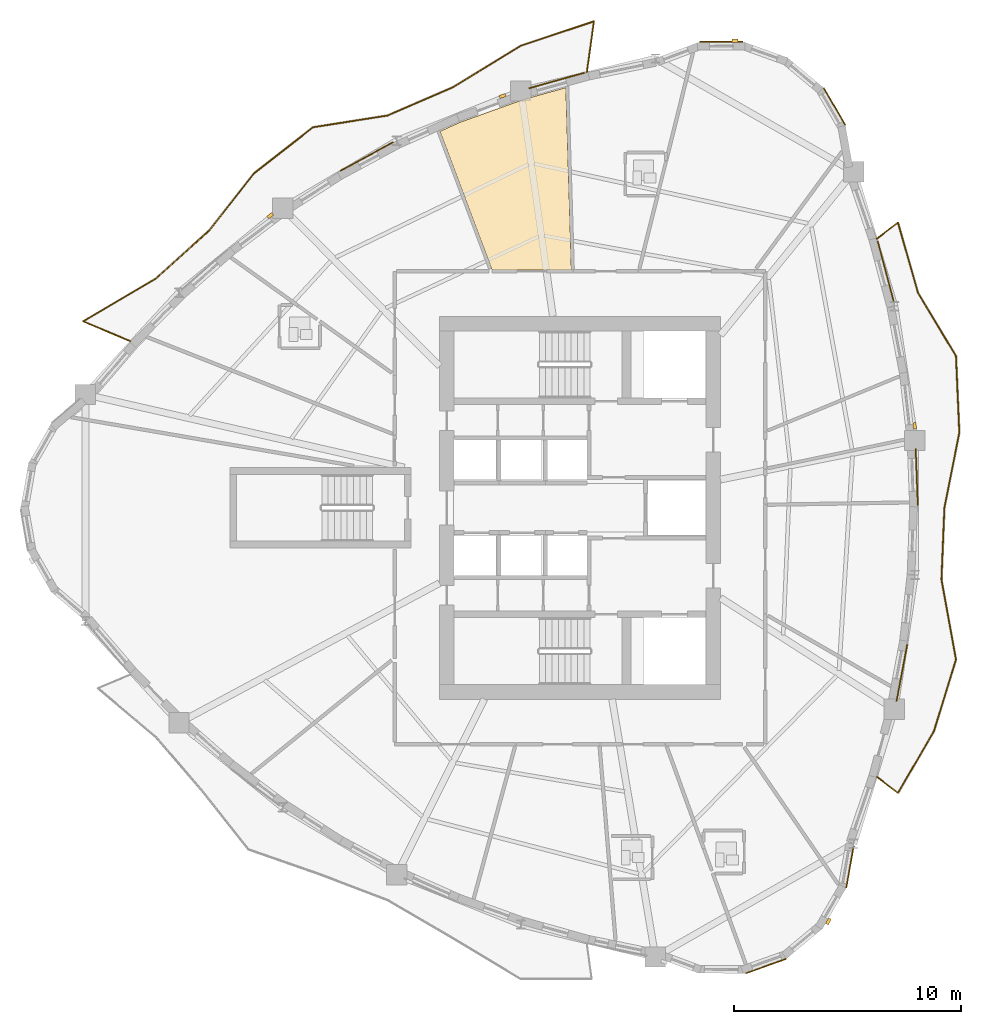
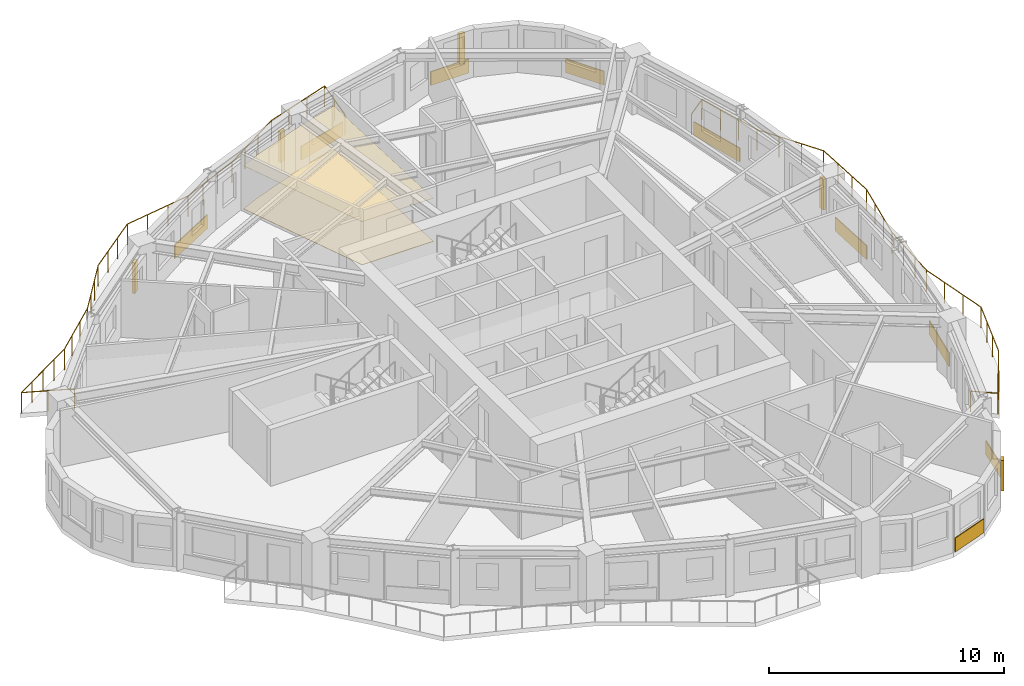
# One storey, part 11 of 12: 11 coverings, 5 shading devices, 2 railings.
"""IFC4 building model written with IfcOpenShell, lengths in metres."""

from ifc_helpers import new_model, si_unit, direction, frame, origin, origin_2d, place, context, subcontext, project, spatial, polyline, rectangle, circle, outline, extrude, source, transform, mapped, material, layer, layer_set, type_object, element, save


model = new_model("IFC4")

# Units and contexts
model_context = context("Model", 3, precision=1e-05, world=origin(), true_north=direction((0.0, 1.0)))
body_context = subcontext(model_context, "Body", "Model", "MODEL_VIEW")
ifc_project = project(units=[si_unit("LENGTHUNIT", "METRE"), si_unit("AREAUNIT", "SQUARE_METRE"), si_unit("VOLUMEUNIT", "CUBIC_METRE"), si_unit("PLANEANGLEUNIT", "RADIAN"), si_unit("MASSUNIT", "GRAM", prefix="KILO")], contexts=[model_context])

# Site, building, storey
site_placement = place(None, origin())
site = spatial("IfcSite", under=ifc_project, at=site_placement, CompositionType="ELEMENT")
building_placement = place(site_placement, origin())
building = spatial("IfcBuilding", under=site, at=building_placement, Name="Qafzar Sky-Pleat Residences", CompositionType="ELEMENT")
storey_placement = place(building_placement, frame((0.0, 0.0, 121.60009765625)))
storey = spatial("IfcBuildingStorey", under=building, at=storey_placement, Name="L36", CompositionType="ELEMENT", Elevation=121.60009765625)

# Coverings
ifc_material_1 = material(Name="Perforated acoustic gypsum board ceiling")
ifc_layer_1 = layer(ifc_material_1, 0.02001953125)
ifc_layer_set_1 = layer_set([ifc_layer_1], Name="Perforated acoustic gypsum board ceiling")
covering_type_1 = type_object("IfcCoveringType", Name="COV-CEIL-ACOUSTIC", PredefinedType="CEILING", material=ifc_layer_set_1)
covering_1_placement = place(storey_placement, frame((0.0, 0.0, 2.239990234375)))
element("IfcCovering", 1, at=covering_1_placement, inside=storey, type_object=covering_type_1, Name="L36 Communal Kitchen Acoustic Ceiling", PredefinedType="CEILING", context=body_context, shape_type="SweptSolid", body=[
    extrude(outline(polyline([(27.864013671875, 44.015380859375), (29.726806640625, 44.53662109375), (29.97119140625, 36.489990234375), (26.4736328125, 36.489990234375), (24.174560546875, 42.6103515625), (25.094482421875, 43.020263671875), (27.864013671875, 44.015380859375)])), origin(), (0.0, 0.0, 1.0), 0.02001953125),
])
ifc_material_2 = material(Name="Honed porcelain and Riyadh stone tile flooring", Category="masonry")
ifc_layer_2 = layer(ifc_material_2, 0.02001953125)
ifc_layer_set_2 = layer_set([ifc_layer_2], Name="Honed porcelain and Riyadh stone tile flooring")
covering_type_2 = type_object("IfcCoveringType", Name="COV-FLR-PORCELAIN", PredefinedType="FLOORING", material=ifc_layer_set_2)
covering_2_placement = place(storey_placement, origin())
element("IfcCovering", 2, at=covering_2_placement, inside=storey, type_object=covering_type_2, Name="L36 Communal Kitchen Honed Stone Flooring", PredefinedType="FLOORING", context=body_context, shape_type="SweptSolid", body=[
    extrude(outline(polyline([(27.864013671875, 44.015380859375), (29.726806640625, 44.53662109375), (29.97119140625, 36.489990234375), (26.4736328125, 36.489990234375), (24.174560546875, 42.6103515625), (25.094482421875, 43.020263671875), (27.864013671875, 44.015380859375)])), origin(), (0.0, 0.0, 1.0), 0.02001953125),
])

# Shading devices
ifc_material_3 = material(Name="Honed Riyadh limestone solar fin", Category="masonry")
ifc_layer_3 = layer(ifc_material_3, 0.139892578125)
ifc_layer_set_3 = layer_set([ifc_layer_3], Name="Honed Riyadh limestone solar fin")
shading_device_type = type_object("IfcShadingDeviceType", Name="SHD-FIN-STONE", PredefinedType="SHUTTER", material=ifc_layer_set_3)
shared_shape_1 = source(origin(), body_context, "Body", "SweptSolid", [
    extrude(rectangle(XDim=0.139892578125, YDim=0.280029296875, at=origin_2d()), origin(), (0.0, 0.0, 1.0), 1.60009765625),
])
for number, where, z_axis, x_axis, name in (
    (3, (41.314453125, 7.749755859375, 0.599853515625), (0.0, 0.0, 1.0), (0.864874104555, -0.501988827833, 0.0), "L36 Limestone Solar Fin 21"),
    (4, (45.11865234375, 29.6123046875, 0.599853515625), (0.0, 0.0, 1.0), (0.993563843367, 0.11327351479, 0.0), "L36 Limestone Solar Fin 29"),
    (5, (37.18798828125, 46.60791015625, 0.599853515625), (0.0, 0.0, 1.0), (-0.006821393447, 0.999976734025, 0.0), "L36 Limestone Solar Fin 37"),
    (6, (26.93798828125, 44.166015625, 0.599853515625), (0.0, 0.0, 1.0), (-0.338171251252, 0.941084589623, 0.0), "L36 Limestone Solar Fin 41"),
    (7, (16.68310546875, 38.885498046875, 0.599853515625), (0.0, 0.0, 1.0), (-0.602208472618, 0.798338872602, 0.0), "L36 Limestone Solar Fin 45"),
):
    element("IfcShadingDevice", number, at=place(storey_placement, frame(where, z_axis=z_axis, x_axis=x_axis)), inside=storey, type_object=shading_device_type, Name=name, PredefinedType="SHUTTER", context=body_context, shape_type="MappedRepresentation", body=[
        mapped(shared_shape_1, transform((0.0, 0.0, 0.0), x_axis=(1.0, 0.0, 0.0), y_axis=(0.0, 1.0, 0.0), z_axis=(0.0, 0.0, 1.0), scale=1.0)),
    ])

# Coverings
ifc_material_4 = material(Name="Honed Riyadh Tuwaiq limestone cladding", Category="masonry")
ifc_layer_4 = layer(ifc_material_4, 0.044921875)
ifc_layer_set_4 = layer_set([ifc_layer_4], Name="Honed Riyadh Tuwaiq limestone cladding")
covering_type_3 = type_object("IfcCoveringType", Name="COV-CLAD-STONE", PredefinedType="CLADDING", material=ifc_layer_set_4)
shared_shape_2 = source(origin(), body_context, "Body", "SweptSolid", [
    extrude(rectangle(XDim=1.88916015625, YDim=0.044921875, at=origin_2d()), origin(), (0.0, 0.0, 1.0), 0.719970703125),
])
for number, where, z_axis, x_axis, name in (
    (8, (38.554443359375, 5.774658203125, 0.02001953125), (0.0, 0.0, 1.0), (0.941518591784, 0.336961038289, 0.0), "L36 Riyadh Limestone Spandrel Cladding 19"),
    (9, (41.5810546875, 43.70556640625, 0.02001953125), (0.0, 0.0, 1.0), (-0.50197689344, 0.864881031387, 0.0), "L36 Riyadh Limestone Spandrel Cladding 34"),
    (10, (36.583251953125, 46.560546875, 0.02001953125), (0.0, 0.0, 1.0), (-0.99997646822, -0.006860248279, 0.0), "L36 Riyadh Limestone Spandrel Cladding 37"),
):
    element("IfcCovering", number, at=place(storey_placement, frame(where, z_axis=z_axis, x_axis=x_axis)), inside=storey, type_object=covering_type_3, Name=name, PredefinedType="CLADDING", context=body_context, shape_type="MappedRepresentation", body=[
        mapped(shared_shape_2, transform((0.0, 0.0, 0.0), x_axis=(1.0, 0.0, 0.0), y_axis=(0.0, 1.0, 0.0), z_axis=(0.0, 0.0, 1.0), scale=1.0)),
    ])
shared_shape_3 = source(origin(), body_context, "Body", "SweptSolid", [
    extrude(rectangle(XDim=1.8369140625, YDim=0.044921875, at=origin_2d()), origin(), (0.0, 0.0, 1.0), 0.719970703125),
])
covering_3_placement = place(storey_placement, frame((42.2626953125, 10.14404296875, 0.02001953125), z_axis=(0.0, 0.0, 1.0), x_axis=(0.174361037484, 0.984681790533, 0.0)))
element("IfcCovering", 11, at=covering_3_placement, inside=storey, type_object=covering_type_3, Name="L36 Riyadh Limestone Spandrel Cladding 22", PredefinedType="CLADDING", context=body_context, shape_type="MappedRepresentation", body=[
    mapped(shared_shape_3, transform((0.0, 0.0, 0.0), x_axis=(1.0, 0.0, 0.0), y_axis=(0.0, 1.0, 0.0), z_axis=(0.0, 0.0, 1.0), scale=1.0)),
])

# Railings
ifc_material_5 = material(Name="Laminated glass and bronze steel balustrade", Category="steel")
railing_type = type_object("IfcRailingType", Name="RAIL-BAL-1100", PredefinedType="BALUSTRADE", material=ifc_material_5)
shared_shape_4 = source(origin(), body_context, "Body", "SweptSolid", [
    extrude(circle(Radius=0.02392578125, at=origin_2d()), frame((0.0, 0.0, 1.076171875), z_axis=(0.792932063794, -0.609310054248, 0.0), x_axis=(0.609310054248, 0.792932063794, 0.0)), (0.0, 0.0, 1.0), 1.177978515625),
    extrude(circle(Radius=0.02392578125, at=origin_2d()), frame((0.93408203125, -0.7177734375, 1.076171875), z_axis=(0.50280024579, 0.864402633519, 0.0), x_axis=(-0.864402633519, 0.50280024579, 0.0)), (0.0, 0.0, 1.0), 3.162353515625),
    extrude(circle(Radius=0.02392578125, at=origin_2d()), frame((2.524169921875, 2.015869140625, 1.076171875), z_axis=(0.293530849641, 0.955949601344, 0.0), x_axis=(-0.955949601344, 0.293530849641, 0.0)), (0.0, 0.0, 1.0), 3.307861328125),
    extrude(circle(Radius=0.02392578125, at=origin_2d()), frame((3.4951171875, 5.177978515625, 1.076171875), z_axis=(-0.179185435941, 0.983815317804, 0.0), x_axis=(-0.983815317804, -0.179185435941, 0.0)), (0.0, 0.0, 1.0), 3.58056640625),
    extrude(circle(Radius=0.02392578125, at=origin_2d()), frame((2.853515625, 8.70068359375, 1.076171875), z_axis=(0.040954900218, 0.99916099611, 0.0), x_axis=(-0.99916099611, 0.040954900218, 0.0)), (0.0, 0.0, 1.0), 3.17138671875),
    extrude(circle(Radius=0.02392578125, at=origin_2d()), frame((2.9833984375, 11.869384765625, 1.076171875), z_axis=(0.195321920693, 0.980739184134, 0.0), x_axis=(-0.980739184134, 0.195321920693, 0.0)), (0.0, 0.0, 1.0), 3.369873046875),
    extrude(circle(Radius=0.02392578125, at=origin_2d()), frame((3.6416015625, 15.17431640625, 1.076171875), z_axis=(-0.04321530311, 0.999065782407, 0.0), x_axis=(-0.999065782407, -0.04321530311, 0.0)), (0.0, 0.0, 1.0), 3.3896484375),
    extrude(circle(Radius=0.02392578125, at=origin_2d()), frame((3.4951171875, 18.560791015625, 1.076171875), z_axis=(-0.515846195278, 0.856681214231, 0.0), x_axis=(-0.856681214231, -0.515846195278, 0.0)), (0.0, 0.0, 1.0), 3.241943359375),
    extrude(circle(Radius=0.02392578125, at=origin_2d()), frame((1.82275390625, 21.338134765625, 1.076171875), z_axis=(-0.274064740499, 0.961711244613, 0.0), x_axis=(-0.961711244613, -0.274064740499, 0.0)), (0.0, 0.0, 1.0), 3.24267578125),
    extrude(circle(Radius=0.02392578125, at=origin_2d()), frame((0.93408203125, 24.45654296875, 1.076171875), z_axis=(-0.792932063794, -0.609310054248, 0.0), x_axis=(0.609310054248, -0.792932063794, 0.0)), (0.0, 0.0, 1.0), 1.177978515625),
    extrude(circle(Radius=0.02099609375, at=origin_2d()), origin(), (0.0, 0.0, 1.0), 1.052001953125),
    extrude(circle(Radius=0.02099609375, at=origin_2d()), frame((0.93408203125, -0.7177734375, 0.0)), (0.0, 0.0, 1.0), 1.052001953125),
    extrude(circle(Radius=0.02099609375, at=origin_2d()), frame((1.464111328125, 0.193359375, 0.0)), (0.0, 0.0, 1.0), 1.052001953125),
    extrude(circle(Radius=0.02099609375, at=origin_2d()), frame((1.994140625, 1.104736328125, 0.0)), (0.0, 0.0, 1.0), 1.052001953125),
    extrude(circle(Radius=0.02099609375, at=origin_2d()), frame((2.524169921875, 2.015869140625, 0.0)), (0.0, 0.0, 1.0), 1.052001953125),
    extrude(circle(Radius=0.02099609375, at=origin_2d()), frame((2.847900390625, 3.06982421875, 0.0)), (0.0, 0.0, 1.0), 1.052001953125),
    extrude(circle(Radius=0.02099609375, at=origin_2d()), frame((3.17138671875, 4.1240234375, 0.0)), (0.0, 0.0, 1.0), 1.052001953125),
    extrude(circle(Radius=0.02099609375, at=origin_2d()), frame((3.4951171875, 5.177978515625, 0.0)), (0.0, 0.0, 1.0), 1.052001953125),
    extrude(circle(Radius=0.02099609375, at=origin_2d()), frame((3.28125, 6.352294921875, 0.0)), (0.0, 0.0, 1.0), 1.052001953125),
    extrude(circle(Radius=0.02099609375, at=origin_2d()), frame((3.0673828125, 7.5263671875, 0.0)), (0.0, 0.0, 1.0), 1.052001953125),
    extrude(circle(Radius=0.02099609375, at=origin_2d()), frame((2.853515625, 8.70068359375, 0.0)), (0.0, 0.0, 1.0), 1.052001953125),
    extrude(circle(Radius=0.02099609375, at=origin_2d()), frame((2.896728515625, 9.7568359375, 0.0)), (0.0, 0.0, 1.0), 1.052001953125),
    extrude(circle(Radius=0.02099609375, at=origin_2d()), frame((2.940185546875, 10.813232421875, 0.0)), (0.0, 0.0, 1.0), 1.052001953125),
    extrude(circle(Radius=0.02099609375, at=origin_2d()), frame((2.9833984375, 11.869384765625, 0.0)), (0.0, 0.0, 1.0), 1.052001953125),
    extrude(circle(Radius=0.02099609375, at=origin_2d()), frame((3.202880859375, 12.970947265625, 0.0)), (0.0, 0.0, 1.0), 1.052001953125),
    extrude(circle(Radius=0.02099609375, at=origin_2d()), frame((3.422119140625, 14.07275390625, 0.0)), (0.0, 0.0, 1.0), 1.052001953125),
    extrude(circle(Radius=0.02099609375, at=origin_2d()), frame((3.6416015625, 15.17431640625, 0.0)), (0.0, 0.0, 1.0), 1.052001953125),
    extrude(circle(Radius=0.02099609375, at=origin_2d()), frame((3.5927734375, 16.30322265625, 0.0)), (0.0, 0.0, 1.0), 1.052001953125),
    extrude(circle(Radius=0.02099609375, at=origin_2d()), frame((3.5439453125, 17.431884765625, 0.0)), (0.0, 0.0, 1.0), 1.052001953125),
    extrude(circle(Radius=0.02099609375, at=origin_2d()), frame((3.4951171875, 18.560791015625, 0.0)), (0.0, 0.0, 1.0), 1.052001953125),
    extrude(circle(Radius=0.02099609375, at=origin_2d()), frame((2.937744140625, 19.486572265625, 0.0)), (0.0, 0.0, 1.0), 1.052001953125),
    extrude(circle(Radius=0.02099609375, at=origin_2d()), frame((2.380126953125, 20.412353515625, 0.0)), (0.0, 0.0, 1.0), 1.052001953125),
    extrude(circle(Radius=0.02099609375, at=origin_2d()), frame((1.82275390625, 21.338134765625, 0.0)), (0.0, 0.0, 1.0), 1.052001953125),
    extrude(circle(Radius=0.02099609375, at=origin_2d()), frame((1.526611328125, 22.377685546875, 0.0)), (0.0, 0.0, 1.0), 1.052001953125),
    extrude(circle(Radius=0.02099609375, at=origin_2d()), frame((1.230224609375, 23.4169921875, 0.0)), (0.0, 0.0, 1.0), 1.052001953125),
    extrude(circle(Radius=0.02099609375, at=origin_2d()), frame((0.93408203125, 24.45654296875, 0.0)), (0.0, 0.0, 1.0), 1.052001953125),
    extrude(circle(Radius=0.02099609375, at=origin_2d()), frame((0.0, 23.73876953125, 0.0)), (0.0, 0.0, 1.0), 1.052001953125),
])
railing_1_placement = place(storey_placement, frame((43.4462890625, 14.130615234375, 0.0)))
element("IfcRailing", 12, at=railing_1_placement, inside=storey, type_object=railing_type, Name="L36 Pleated Balcony 1 Balustrade", PredefinedType="BALUSTRADE", context=body_context, shape_type="MappedRepresentation", body=[
    mapped(shared_shape_4, transform((0.0, 0.0, 0.0), x_axis=(1.0, 0.0, 0.0), y_axis=(0.0, 1.0, 0.0), z_axis=(0.0, 0.0, 1.0), scale=1.0)),
])
shared_shape_5 = source(origin(), body_context, "Body", "SweptSolid", [
    extrude(circle(Radius=0.02392578125, at=origin_2d()), frame((0.0, 0.0, 1.076171875), z_axis=(0.136964805179, 0.990575914376, 0.0), x_axis=(-0.990575914376, 0.136964805179, 0.0)), (0.0, 0.0, 1.0), 2.27099609375),
    extrude(circle(Radius=0.02392578125, at=origin_2d()), frame((0.31103515625, 2.24951171875, 1.076171875), z_axis=(-0.948504991036, -0.316762185211, 0.0), x_axis=(0.316762185211, -0.948504991036, 0.0)), (0.0, 0.0, 1.0), 3.426025390625),
    extrude(circle(Radius=0.02392578125, at=origin_2d()), frame((-2.9384765625, 1.164306640625, 1.076171875), z_axis=(-0.85265153756, -0.522480004877, 0.0), x_axis=(0.522480004877, -0.85265153756, 0.0)), (0.0, 0.0, 1.0), 3.48876953125),
    extrude(circle(Radius=0.02392578125, at=origin_2d()), frame((-5.9130859375, -0.658447265625, 1.076171875), z_axis=(-0.917493090818, -0.397751716906, 0.0), x_axis=(0.397751716906, -0.917493090818, 0.0)), (0.0, 0.0, 1.0), 3.134033203125),
    extrude(circle(Radius=0.02392578125, at=origin_2d()), frame((-8.78857421875, -1.905029296875, 1.076171875), z_axis=(-0.987837119811, -0.155492201486, 0.0), x_axis=(0.155492201486, -0.987837119811, 0.0)), (0.0, 0.0, 1.0), 3.331787109375),
    extrude(circle(Radius=0.02392578125, at=origin_2d()), frame((-12.079833984375, -2.423095703125, 1.076171875), z_axis=(-0.788517401725, -0.615012444733, 0.0), x_axis=(0.615012444733, -0.788517401725, 0.0)), (0.0, 0.0, 1.0), 3.2939453125),
    extrude(circle(Radius=0.02392578125, at=origin_2d()), frame((-14.67724609375, -4.448974609375, 1.076171875), z_axis=(-0.617419143913, -0.786634350083, 0.0), x_axis=(0.786634350083, -0.617419143913, 0.0)), (0.0, 0.0, 1.0), 3.216064453125),
    extrude(circle(Radius=0.02392578125, at=origin_2d()), frame((-16.662841796875, -6.978759765625, 1.076171875), z_axis=(-0.742752641573, -0.669565914184, 0.0), x_axis=(0.669565914184, -0.742752641573, 0.0)), (0.0, 0.0, 1.0), 3.162353515625),
    extrude(circle(Radius=0.02392578125, at=origin_2d()), frame((-19.01171875, -9.09619140625, 1.076171875), z_axis=(-0.861538461538, -0.507692307692, 0.0), x_axis=(0.507692307692, -0.861538461538, 0.0)), (0.0, 0.0, 1.0), 3.729248046875),
    extrude(circle(Radius=0.02392578125, at=origin_2d()), frame((-22.224609375, -10.989501953125, 1.076171875), z_axis=(0.92188612013, -0.387460941918, 0.0), x_axis=(0.387460941918, 0.92188612013, 0.0)), (0.0, 0.0, 1.0), 2.27099609375),
    extrude(circle(Radius=0.02099609375, at=origin_2d()), origin(), (0.0, 0.0, 1.0), 1.052001953125),
    extrude(circle(Radius=0.02099609375, at=origin_2d()), frame((0.155517578125, 1.124755859375, 0.0)), (0.0, 0.0, 1.0), 1.052001953125),
    extrude(circle(Radius=0.02099609375, at=origin_2d()), frame((0.31103515625, 2.24951171875, 0.0)), (0.0, 0.0, 1.0), 1.052001953125),
    extrude(circle(Radius=0.02099609375, at=origin_2d()), frame((-0.772216796875, 1.8876953125, 0.0)), (0.0, 0.0, 1.0), 1.052001953125),
    extrude(circle(Radius=0.02099609375, at=origin_2d()), frame((-1.855224609375, 1.526123046875, 0.0)), (0.0, 0.0, 1.0), 1.052001953125),
    extrude(circle(Radius=0.02099609375, at=origin_2d()), frame((-2.9384765625, 1.164306640625, 0.0)), (0.0, 0.0, 1.0), 1.052001953125),
    extrude(circle(Radius=0.02099609375, at=origin_2d()), frame((-3.929931640625, 0.556640625, 0.0)), (0.0, 0.0, 1.0), 1.052001953125),
    extrude(circle(Radius=0.02099609375, at=origin_2d()), frame((-4.921630859375, -0.05078125, 0.0)), (0.0, 0.0, 1.0), 1.052001953125),
    extrude(circle(Radius=0.02099609375, at=origin_2d()), frame((-5.9130859375, -0.658447265625, 0.0)), (0.0, 0.0, 1.0), 1.052001953125),
    extrude(circle(Radius=0.02099609375, at=origin_2d()), frame((-6.87158203125, -1.073974609375, 0.0)), (0.0, 0.0, 1.0), 1.052001953125),
    extrude(circle(Radius=0.02099609375, at=origin_2d()), frame((-7.830078125, -1.489501953125, 0.0)), (0.0, 0.0, 1.0), 1.052001953125),
    extrude(circle(Radius=0.02099609375, at=origin_2d()), frame((-8.78857421875, -1.905029296875, 0.0)), (0.0, 0.0, 1.0), 1.052001953125),
    extrude(circle(Radius=0.02099609375, at=origin_2d()), frame((-9.8857421875, -2.07763671875, 0.0)), (0.0, 0.0, 1.0), 1.052001953125),
    extrude(circle(Radius=0.02099609375, at=origin_2d()), frame((-10.982666015625, -2.25048828125, 0.0)), (0.0, 0.0, 1.0), 1.052001953125),
    extrude(circle(Radius=0.02099609375, at=origin_2d()), frame((-12.079833984375, -2.423095703125, 0.0)), (0.0, 0.0, 1.0), 1.052001953125),
    extrude(circle(Radius=0.02099609375, at=origin_2d()), frame((-12.945556640625, -3.098388671875, 0.0)), (0.0, 0.0, 1.0), 1.052001953125),
    extrude(circle(Radius=0.02099609375, at=origin_2d()), frame((-13.8115234375, -3.773681640625, 0.0)), (0.0, 0.0, 1.0), 1.052001953125),
    extrude(circle(Radius=0.02099609375, at=origin_2d()), frame((-14.67724609375, -4.448974609375, 0.0)), (0.0, 0.0, 1.0), 1.052001953125),
    extrude(circle(Radius=0.02099609375, at=origin_2d()), frame((-15.339111328125, -5.292236328125, 0.0)), (0.0, 0.0, 1.0), 1.052001953125),
    extrude(circle(Radius=0.02099609375, at=origin_2d()), frame((-16.0009765625, -6.135498046875, 0.0)), (0.0, 0.0, 1.0), 1.052001953125),
    extrude(circle(Radius=0.02099609375, at=origin_2d()), frame((-16.662841796875, -6.978759765625, 0.0)), (0.0, 0.0, 1.0), 1.052001953125),
    extrude(circle(Radius=0.02099609375, at=origin_2d()), frame((-17.44580078125, -7.6845703125, 0.0)), (0.0, 0.0, 1.0), 1.052001953125),
    extrude(circle(Radius=0.02099609375, at=origin_2d()), frame((-18.228759765625, -8.390380859375, 0.0)), (0.0, 0.0, 1.0), 1.052001953125),
    extrude(circle(Radius=0.02099609375, at=origin_2d()), frame((-19.01171875, -9.09619140625, 0.0)), (0.0, 0.0, 1.0), 1.052001953125),
    extrude(circle(Radius=0.02099609375, at=origin_2d()), frame((-19.81494140625, -9.569580078125, 0.0)), (0.0, 0.0, 1.0), 1.052001953125),
    extrude(circle(Radius=0.02099609375, at=origin_2d()), frame((-20.6181640625, -10.04296875, 0.0)), (0.0, 0.0, 1.0), 1.052001953125),
    extrude(circle(Radius=0.02099609375, at=origin_2d()), frame((-21.42138671875, -10.51611328125, 0.0)), (0.0, 0.0, 1.0), 1.052001953125),
    extrude(circle(Radius=0.02099609375, at=origin_2d()), frame((-22.224609375, -10.989501953125, 0.0)), (0.0, 0.0, 1.0), 1.052001953125),
    extrude(circle(Radius=0.02099609375, at=origin_2d()), frame((-21.177734375, -11.429443359375, 0.0)), (0.0, 0.0, 1.0), 1.052001953125),
    extrude(circle(Radius=0.02099609375, at=origin_2d()), frame((-20.131103515625, -11.869384765625, 0.0)), (0.0, 0.0, 1.0), 1.052001953125),
])
railing_2_placement = place(storey_placement, frame((30.656494140625, 45.212890625, 0.0)))
element("IfcRailing", 13, at=railing_2_placement, inside=storey, type_object=railing_type, Name="L36 Pleated Balcony 2 Balustrade", PredefinedType="BALUSTRADE", context=body_context, shape_type="MappedRepresentation", body=[
    mapped(shared_shape_5, transform((0.0, 0.0, 0.0), x_axis=(1.0, 0.0, 0.0), y_axis=(0.0, 1.0, 0.0), z_axis=(0.0, 0.0, 1.0), scale=1.0)),
])

# Coverings
shared_shape_6 = source(origin(), body_context, "Body", "SweptSolid", [
    extrude(rectangle(XDim=2.5439453125, YDim=0.044921875, at=origin_2d()), origin(), (0.0, 0.0, 1.0), 0.719970703125),
])
covering_4_placement = place(storey_placement, frame((44.553955078125, 18.713623046875, 0.02001953125), z_axis=(0.0, 0.0, 1.0), x_axis=(0.186691035314, 0.982418677211, 0.0)))
element("IfcCovering", 14, at=covering_4_placement, inside=storey, type_object=covering_type_3, Name="L36 Riyadh Limestone Spandrel Cladding 25", PredefinedType="CLADDING", context=body_context, shape_type="MappedRepresentation", body=[
    mapped(shared_shape_6, transform((0.0, 0.0, 0.0), x_axis=(1.0, 0.0, 0.0), y_axis=(0.0, 1.0, 0.0), z_axis=(0.0, 0.0, 1.0), scale=1.0)),
])
shared_shape_7 = source(origin(), body_context, "Body", "SweptSolid", [
    extrude(rectangle(XDim=2.498046875, YDim=0.044921875, at=origin_2d()), origin(), (0.0, 0.0, 1.0), 0.719970703125),
])
covering_5_placement = place(storey_placement, frame((45.21044921875, 27.349609375, 0.02001953125), z_axis=(0.0, 0.0, 1.0), x_axis=(-0.037973744912, 0.999278737239, 0.0)))
element("IfcCovering", 15, at=covering_5_placement, inside=storey, type_object=covering_type_3, Name="L36 Riyadh Limestone Spandrel Cladding 28", PredefinedType="CLADDING", context=body_context, shape_type="MappedRepresentation", body=[
    mapped(shared_shape_7, transform((0.0, 0.0, 0.0), x_axis=(1.0, 0.0, 0.0), y_axis=(0.0, 1.0, 0.0), z_axis=(0.0, 0.0, 1.0), scale=1.0)),
])
shared_shape_8 = source(origin(), body_context, "Body", "SweptSolid", [
    extrude(rectangle(XDim=2.778076171875, YDim=0.044921875, at=origin_2d()), origin(), (0.0, 0.0, 1.0), 0.719970703125),
])
covering_6_placement = place(storey_placement, frame((43.844970703125, 36.4130859375, 0.02001953125), z_axis=(0.0, 0.0, 1.0), x_axis=(-0.257075814688, 0.966391238321, 0.0)))
element("IfcCovering", 16, at=covering_6_placement, inside=storey, type_object=covering_type_3, Name="L36 Riyadh Limestone Spandrel Cladding 31", PredefinedType="CLADDING", context=body_context, shape_type="MappedRepresentation", body=[
    mapped(shared_shape_8, transform((0.0, 0.0, 0.0), x_axis=(1.0, 0.0, 0.0), y_axis=(0.0, 1.0, 0.0), z_axis=(0.0, 0.0, 1.0), scale=1.0)),
])
shared_shape_9 = source(origin(), body_context, "Body", "SweptSolid", [
    extrude(rectangle(XDim=2.546142578125, YDim=0.044921875, at=origin_2d()), origin(), (0.0, 0.0, 1.0), 0.719970703125),
])
covering_7_placement = place(storey_placement, frame((29.3232421875, 44.8515625, 0.02001953125), z_axis=(0.0, 0.0, 1.0), x_axis=(-0.963031172713, -0.269389978251, 0.0)))
element("IfcCovering", 17, at=covering_7_placement, inside=storey, type_object=covering_type_3, Name="L36 Riyadh Limestone Spandrel Cladding 40", PredefinedType="CLADDING", context=body_context, shape_type="MappedRepresentation", body=[
    mapped(shared_shape_9, transform((0.0, 0.0, 0.0), x_axis=(1.0, 0.0, 0.0), y_axis=(0.0, 1.0, 0.0), z_axis=(0.0, 0.0, 1.0), scale=1.0)),
])
shared_shape_10 = source(origin(), body_context, "Body", "SweptSolid", [
    extrude(rectangle(XDim=2.6455078125, YDim=0.044921875, at=origin_2d()), origin(), (0.0, 0.0, 1.0), 0.719970703125),
])
covering_8_placement = place(storey_placement, frame((20.943603515625, 41.498291015625, 0.02001953125), z_axis=(0.0, 0.0, 1.0), x_axis=(-0.880073172957, -0.474838088448, 0.0)))
element("IfcCovering", 18, at=covering_8_placement, inside=storey, type_object=covering_type_3, Name="L36 Riyadh Limestone Spandrel Cladding 43", PredefinedType="CLADDING", context=body_context, shape_type="MappedRepresentation", body=[
    mapped(shared_shape_10, transform((0.0, 0.0, 0.0), x_axis=(1.0, 0.0, 0.0), y_axis=(0.0, 1.0, 0.0), z_axis=(0.0, 0.0, 1.0), scale=1.0)),
])

save(model, "model.ifc")
